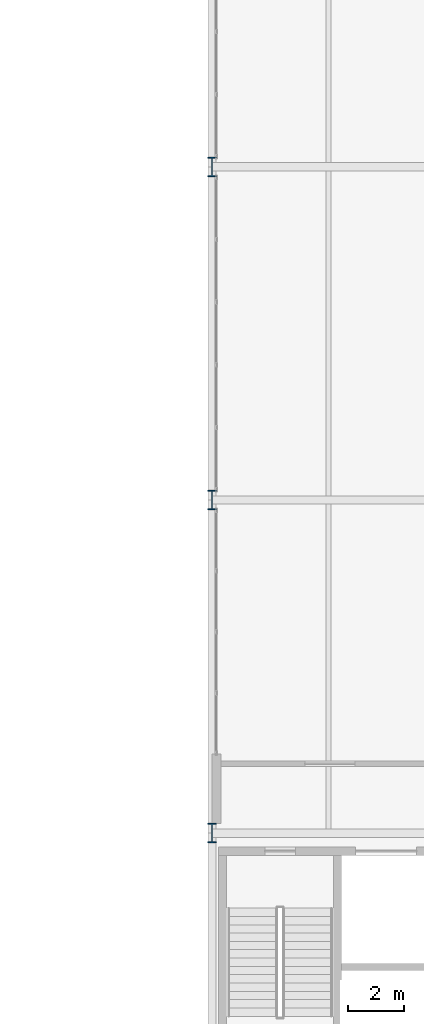
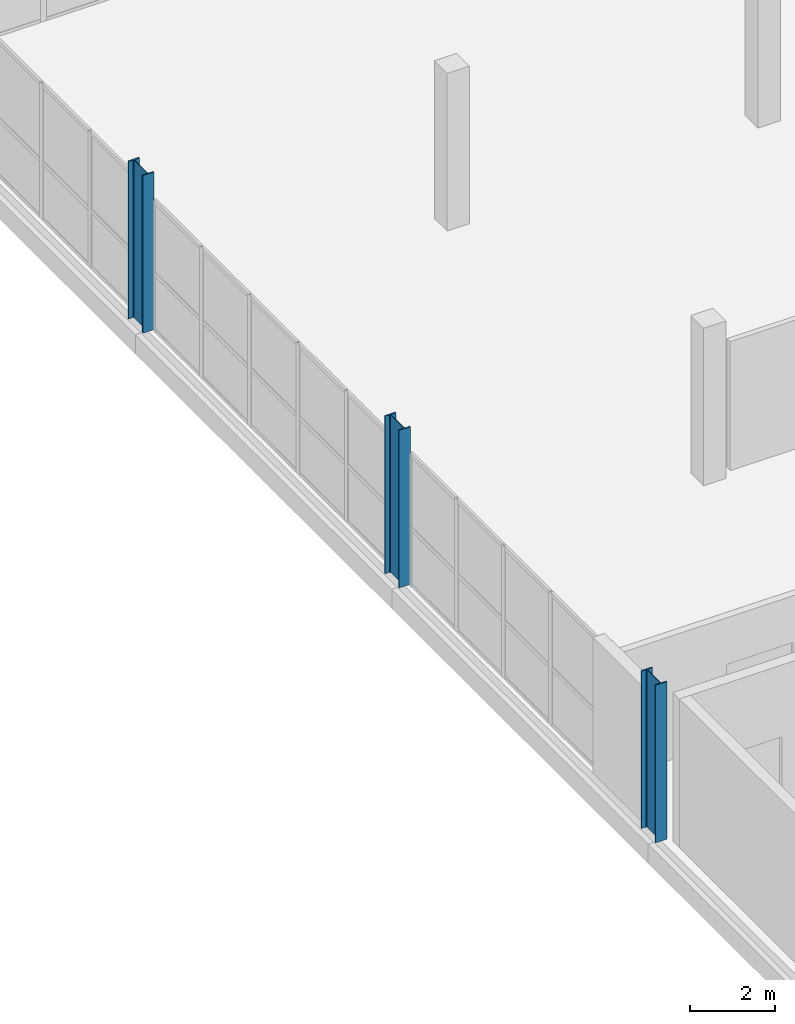
# One storey, part 8 of 113: 3 columns.
"""IFC4 building model written with IfcOpenShell, lengths in metres."""

import ifcopenshell
import ifcopenshell.guid

model = None  # the IFC model being written
_history = None  # IfcOwnerHistory: only IFC2X3 demands one
_inside = {}  # id of a spatial element -> (the spatial element, [elements in it])
_under = {}  # id of a project, library or spatial element -> (it, [spatial elements below it])
_declared = {}  # id of a project -> (the project, [libraries it declares])
_typed = {}  # id of a type object -> (the type object, [elements of that type])
_made_of = {}  # id of a material, layer set ... -> (it, [elements and type objects made of it])


def new_model(schema):
    """Start an empty IFC model of exactly this schema.

    Asked for "IFC4X3", IfcOpenShell would pick the latest addendum, in which some entities
    have other attributes; the version numbers below select the first issue.
    IFC2X3 requires an IfcOwnerHistory on every rooted entity: one is made here for all.
    """
    global model, _history
    if schema == "IFC4X3":
        model = ifcopenshell.file(schema_version=(4, 3, 0, 0))
    else:
        model = ifcopenshell.file(schema=schema)
    _inside.clear()
    _under.clear()
    _declared.clear()
    _typed.clear()
    _made_of.clear()
    _history = None
    if model.schema == "IFC2X3":
        org = make("IfcOrganization", Name="unknown")
        user = make(
            "IfcPersonAndOrganization",
            ThePerson=make("IfcPerson", FamilyName="unknown"),
            TheOrganization=org,
        )
        app = make(
            "IfcApplication",
            ApplicationDeveloper=org,
            Version="unknown",
            ApplicationFullName="unknown",
            ApplicationIdentifier="unknown",
        )
        _history = make(
            "IfcOwnerHistory",
            OwningUser=user,
            OwningApplication=app,
            ChangeAction="ADDED",
            CreationDate=0,
        )
    return model


def make(cls, **values):
    """One entity of the class cls with the attributes given. An attribute that is None is left unset."""
    return model.create_entity(
        cls, **{name: value for name, value in values.items() if value is not None}
    )


def rooted(cls, **values):
    """An entity with a GlobalId (a new one), such as an element, a storey or a relation."""
    return make(cls, GlobalId=ifcopenshell.guid.new(), OwnerHistory=_history, **values)


def si_unit(unit_type, name, prefix=None):
    """IfcSIUnit, for example si_unit("LENGTHUNIT", "METRE", prefix="MILLI")."""
    return make("IfcSIUnit", UnitType=unit_type, Prefix=prefix, Name=name)


def assignment(units):
    """IfcUnitAssignment: the units of a project."""
    return None if units is None else make("IfcUnitAssignment", Units=units)


def point(xyz):
    """IfcCartesianPoint."""
    return None if xyz is None else make("IfcCartesianPoint", Coordinates=xyz)


def direction(xyz):
    """IfcDirection."""
    return None if xyz is None else make("IfcDirection", DirectionRatios=xyz)


def frame(location, z_axis=None, x_axis=None):
    """IfcAxis2Placement3D, a coordinate frame: its origin and axes. An axis left out is left unset."""
    return make(
        "IfcAxis2Placement3D",
        Location=point(location),
        Axis=direction(z_axis),
        RefDirection=direction(x_axis),
    )


def frame_2d(location, x_axis=None):
    """IfcAxis2Placement2D, a coordinate frame in the plane: its origin and x axis."""
    return make(
        "IfcAxis2Placement2D", Location=point(location), RefDirection=direction(x_axis)
    )


def origin():
    """The frame at (0, 0, 0) with its axes left unset."""
    return frame((0.0, 0.0, 0.0))


def origin_2d():
    """The frame at (0, 0) in the plane with its x axis left unset."""
    return frame_2d((0.0, 0.0))


def place(relative_to, where):
    """IfcLocalPlacement: puts the frame where relative to a parent placement (None: the world)."""
    return make(
        "IfcLocalPlacement", PlacementRelTo=relative_to, RelativePlacement=where
    )


def context(
    kind, dimensions, precision=None, world=None, true_north=None, identifier=None
):
    """IfcGeometricRepresentationContext, for example the 3D "Model" context."""
    return make(
        "IfcGeometricRepresentationContext",
        ContextIdentifier=identifier,
        ContextType=kind,
        CoordinateSpaceDimension=dimensions,
        Precision=precision,
        WorldCoordinateSystem=world,
        TrueNorth=true_north,
    )


def subcontext(parent, identifier, kind, view, scale=None):
    """IfcGeometricRepresentationSubContext, for example "Body" below "Model"."""
    return make(
        "IfcGeometricRepresentationSubContext",
        ContextIdentifier=identifier,
        ContextType=kind,
        ParentContext=parent,
        TargetScale=scale,
        TargetView=view,
    )


def project(units=None, contexts=None):
    """IfcProject with its units and contexts."""
    return rooted(
        "IfcProject",
        Name="project",
        RepresentationContexts=contexts,
        UnitsInContext=assignment(units),
    )


def spatial(cls, under=None, at=None, **own):
    """A site, building, storey or space (cls), placed at a placement, below another one or the project."""
    s = rooted(cls, ObjectPlacement=at, **own)
    if under is not None:
        _under.setdefault(under.id(), (under, []))[1].append(s)
    return s


def profile(cls, at=None, kind="AREA", **sizes):
    """A parametric profile (cls). Its sizes go by their IFC names, for example OverallWidth=200.0."""
    return make(cls, ProfileType=kind, Position=at, **sizes)


def i_section(**sizes):
    """IfcIShapeProfileDef."""
    return profile("IfcIShapeProfileDef", **sizes)


def extrude(swept, where, along, depth):
    """IfcExtrudedAreaSolid: the profile swept, set in the frame where, extruded along a direction by depth."""
    return make(
        "IfcExtrudedAreaSolid",
        SweptArea=swept,
        Position=where,
        ExtrudedDirection=direction(along),
        Depth=depth,
    )


def shape(context_of_items, identifier, shape_type, items):
    """IfcShapeRepresentation: the items that make up one representation, for example the "Body"."""
    return make(
        "IfcShapeRepresentation",
        ContextOfItems=context_of_items,
        RepresentationIdentifier=identifier,
        RepresentationType=shape_type,
        Items=items,
    )


def material(Name=None, Category=None):
    """IfcMaterial."""
    return make("IfcMaterial", Name=Name, Category=Category)


def material_profile(
    of_material, cross_section, Name=None, Category=None, Priority=None
):
    """IfcMaterialProfile: a cross section and its material."""
    return make(
        "IfcMaterialProfile",
        Name=Name,
        Material=of_material,
        Profile=cross_section,
        Priority=Priority,
        Category=Category,
    )


def profile_set(profiles, Name=None, composite=None):
    """IfcMaterialProfileSet."""
    return make(
        "IfcMaterialProfileSet",
        Name=Name,
        MaterialProfiles=profiles,
        CompositeProfile=composite,
    )


def made_of(thing, what):
    """Note that an element or type object is made of a material, layer set ...; save() writes the relation."""
    if what is not None:
        _made_of.setdefault(what.id(), (what, []))[1].append(thing)
    return thing


def type_object(cls, material=None, **own):
    """A type object (cls), such as IfcWallType, which elements share."""
    return made_of(rooted(cls, **own), material)


def element(
    cls,
    number,
    at=None,
    inside=None,
    cuts=None,
    type_object=None,
    material=None,
    context=None,
    identifier="Body",
    shape_type=None,
    held_by="IfcProductDefinitionShape",
    body=None,
    shapes=None,
    **own,
):
    """One element of the class cls, such as IfcWall. Its Tag is "e" and its number.

    at: its placement. inside: the storey or other place that contains it. cuts: it is an
    opening in that element (IfcRelVoidsElement). A single representation is given by context,
    identifier, shape_type and body (its items); several are given by shapes. held_by: the class
    of the entity that holds the representations. save() writes the other relations.
    """
    e = rooted(cls, Tag="e%d" % number, ObjectPlacement=at, **own)
    if body is not None:
        shapes = [shape(context, identifier, shape_type, body)]
    if shapes is not None:
        e.Representation = make(held_by, Representations=shapes)
    if inside is not None:
        _inside.setdefault(inside.id(), (inside, []))[1].append(e)
    if cuts is not None:
        rooted(
            "IfcRelVoidsElement", RelatingBuildingElement=cuts, RelatedOpeningElement=e
        )
    if type_object is not None:
        _typed.setdefault(type_object.id(), (type_object, []))[1].append(e)
    return made_of(e, material)


def aggregate(whole, parts):
    """IfcRelAggregates: a whole, such as a stair, and the parts it consists of."""
    return rooted("IfcRelAggregates", RelatingObject=whole, RelatedObjects=parts)


def save(model, path):
    """Write the relations noted so far, then the file.

    IfcRelAggregates (storeys below a building ...), IfcRelContainedInSpatialStructure (elements
    in a storey), IfcRelDefinesByType, IfcRelAssociatesMaterial and IfcRelDeclares: one each for
    every whole, place, type object, material and project.
    """
    for whole, parts in _under.values():
        aggregate(whole, parts)
    for where, things in _inside.values():
        rooted(
            "IfcRelContainedInSpatialStructure",
            RelatedElements=things,
            RelatingStructure=where,
        )
    for kind, things in _typed.values():
        rooted("IfcRelDefinesByType", RelatedObjects=things, RelatingType=kind)
    for what, things in _made_of.values():
        rooted("IfcRelAssociatesMaterial", RelatedObjects=things, RelatingMaterial=what)
    for by, libraries in _declared.values():
        rooted("IfcRelDeclares", RelatingContext=by, RelatedDefinitions=libraries)
    model.write(path)


model = new_model("IFC4")

# Units and contexts
model_context = context("Model", 3, precision=1e-05, world=origin(), true_north=direction((0.0, 1.0)))
body_context = subcontext(model_context, "Body", "Model", "MODEL_VIEW")
ifc_project = project(units=[si_unit("LENGTHUNIT", "METRE"), si_unit("AREAUNIT", "SQUARE_METRE"), si_unit("VOLUMEUNIT", "CUBIC_METRE"), si_unit("PLANEANGLEUNIT", "RADIAN"), si_unit("MASSUNIT", "GRAM", prefix="KILO")], contexts=[model_context])

# Site, building, storey
site_placement = place(None, origin())
site = spatial("IfcSite", under=ifc_project, at=site_placement, CompositionType="ELEMENT")
building_placement = place(site_placement, origin())
building = spatial("IfcBuilding", under=site, at=building_placement, Name="Veltarok Museum of Natural Sciences", CompositionType="ELEMENT")
storey_placement = place(building_placement, frame((0.0, 0.0, 8.39990234375)))
storey = spatial("IfcBuildingStorey", under=building, at=storey_placement, Name="L01", CompositionType="ELEMENT", Elevation=8.39990234375)

# Columns
ifc_material = material(Name="Steel S355J2", Category="steel")
ifc_material_profile = material_profile(ifc_material, i_section(OverallWidth=0.300048828125, OverallDepth=0.699951171875, WebThickness=0.01708984375, FlangeThickness=0.031982421875, FilletRadius=0.027099609375, at=origin_2d()), Name="HEB 700")
ifc_profile_set = profile_set([ifc_material_profile], Name="Steel S355J2")
column_type = type_object("IfcColumnType", Name="Perimeter Steel Column HEB 700", PredefinedType="COLUMN", material=ifc_profile_set)
for number, where, z_axis, x_axis, name in (
    (1, (132.39990234375, 36.0, 0.0), (0.0, 0.0, 1.0), (1.0, 0.0, 0.0), "Column COL-EXT01 L01 16/E"),
    (2, (132.39990234375, 48.0, 0.0), (0.0, 0.0, 1.0), (1.0, 0.0, 0.0), "Column COL-EXT01 L01 16/F"),
    (3, (132.39990234375, 60.0, 0.0), (0.0, 0.0, 1.0), (1.0, 0.0, 0.0), "Column COL-EXT01 L01 16/G"),
):
    element("IfcColumn", number, at=place(storey_placement, frame(where, z_axis=z_axis, x_axis=x_axis)), inside=storey, type_object=column_type, Name=name, PredefinedType="COLUMN", context=body_context, shape_type="SweptSolid", body=[
        extrude(i_section(OverallWidth=0.300048828125, OverallDepth=0.699951171875, WebThickness=0.01708984375, FlangeThickness=0.031982421875, FilletRadius=0.027099609375, at=origin_2d()), origin(), (0.0, 0.0, 1.0), 4.5),
    ])

save(model, "model.ifc")
